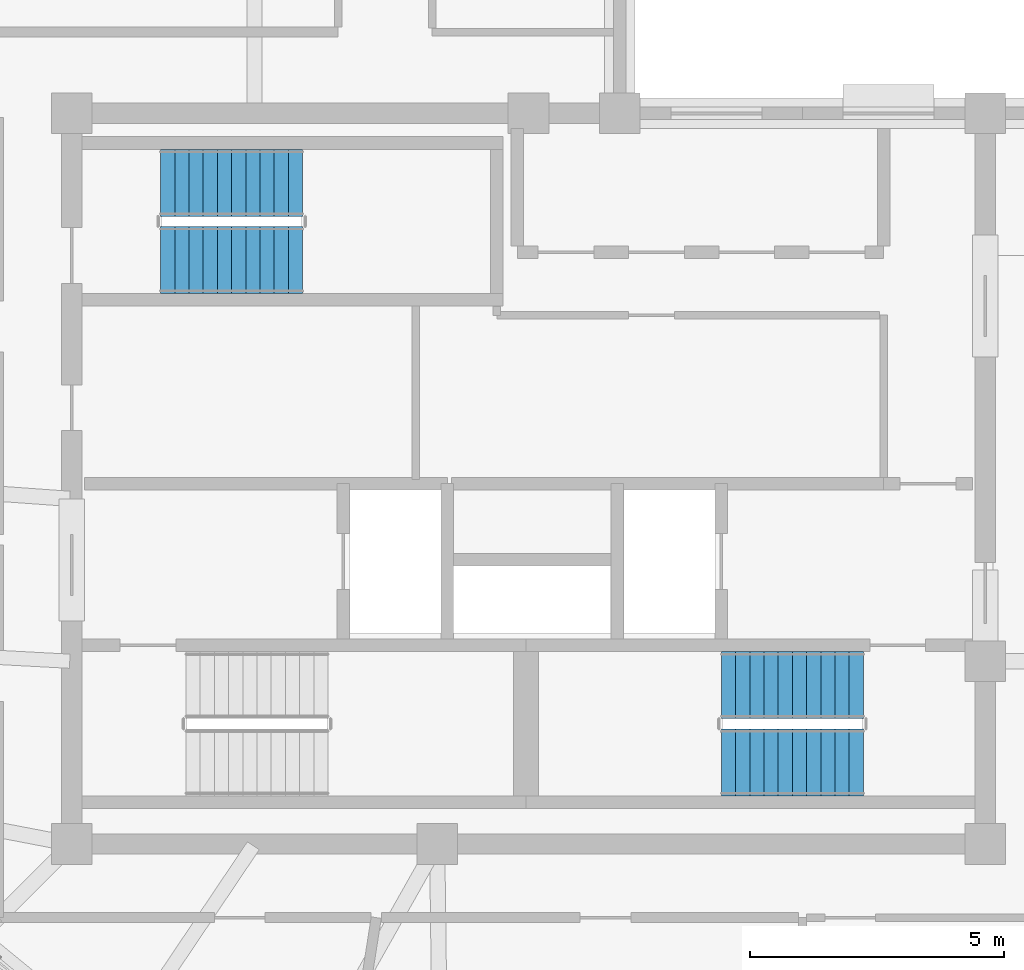
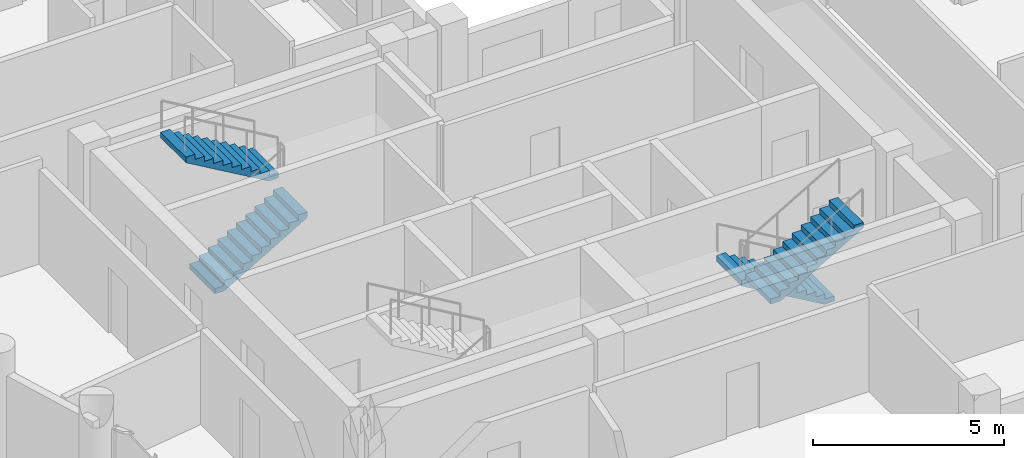
# One storey, part 10 of 12: 4 stair flights, 2 elements without a shape of their own.
"""IFC4 building model written with IfcOpenShell, lengths in metres."""

from ifc_helpers import new_model, si_unit, direction, frame, origin, place, context, subcontext, project, spatial, polyline, outline, extrude, material, type_object, element, aggregate, save


model = new_model("IFC4")

# Units and contexts
model_context = context("Model", 3, precision=1e-05, world=origin(), true_north=direction((0.0, 1.0)))
body_context = subcontext(model_context, "Body", "Model", "MODEL_VIEW")
ifc_project = project(units=[si_unit("LENGTHUNIT", "METRE"), si_unit("AREAUNIT", "SQUARE_METRE"), si_unit("VOLUMEUNIT", "CUBIC_METRE"), si_unit("PLANEANGLEUNIT", "RADIAN"), si_unit("MASSUNIT", "GRAM", prefix="KILO")], contexts=[model_context])

# Site, building, storey
site_placement = place(None, origin())
site = spatial("IfcSite", under=ifc_project, at=site_placement, CompositionType="ELEMENT")
building_placement = place(site_placement, origin())
building = spatial("IfcBuilding", under=site, at=building_placement, Name="Solnavia Interchange Tower", CompositionType="ELEMENT")
storey_placement = place(building_placement, frame((0.0, 0.0, 228.199951171875)))
storey = spatial("IfcBuildingStorey", under=building, at=storey_placement, Name="L57", CompositionType="ELEMENT", Elevation=228.199951171875)

# Stair, stair flights
ifc_material = material(Name="Concrete C40/50", Category="concrete")
stair_type = type_object("IfcStairType", Name="Stair-Dogleg-RC", PredefinedType="HALF_TURN_STAIR", material=ifc_material)
stair_1_placement = place(storey_placement, origin())
stair_1 = element("IfcStair", 1, at=stair_1_placement, inside=storey, type_object=stair_type, Name="L57 Core exit stair 2", PredefinedType="HALF_TURN_STAIR")
stair_flight_type = type_object("IfcStairFlightType", Name="StairFlight-RC-150", PredefinedType="STRAIGHT", material=ifc_material)
stair_flight_1_placement = place(storey_placement, frame((30.0, 13.929931640625, 0.0), z_axis=(0.0, 0.0, 1.0), x_axis=(-1.0, 0.0, 0.0)))
stair_flight_1 = element("IfcStairFlight", 2, at=stair_flight_1_placement, type_object=stair_flight_type, Name="ST-2 flight 1", NumberOfRisers=11, NumberOfTreads=10, PredefinedType="STRAIGHT", RiserHeight=0.163636364, TreadLength=0.28, context=body_context, shape_type="SweptSolid", body=[
    extrude(outline(polyline([(0.0, 0.0), (0.0, 0.16357421875), (0.280029296875, 0.16357421875), (0.280029296875, 0.327392578125), (0.56005859375, 0.327392578125), (0.56005859375, 0.490966796875), (0.840087890625, 0.490966796875), (0.840087890625, 0.654541015625), (1.1201171875, 0.654541015625), (1.1201171875, 0.818115234375), (1.39990234375, 0.818115234375), (1.39990234375, 0.98193359375), (1.679931640625, 0.98193359375), (1.679931640625, 1.1455078125), (1.9599609375, 1.1455078125), (1.9599609375, 1.30908203125), (2.239990234375, 1.30908203125), (2.239990234375, 1.47265625), (2.52001953125, 1.47265625), (2.52001953125, 1.636474609375), (2.800048828125, 1.636474609375), (2.800048828125, 1.800048828125), (2.800048828125, 1.462646484375), (0.297119140625, 0.0), (0.0, 0.0)])), frame((0.0, 0.66015625, 0.0), z_axis=(0.0, -1.0, 0.0), x_axis=(1.0, 0.0, 0.0)), (0.0, 0.0, 1.0), 1.320068359375),
])
stair_flight_2_placement = place(storey_placement, frame((27.199951171875, 12.409912109375, 1.800048828125), z_axis=(0.0, 0.0, 1.0), x_axis=(1.0, 0.0, 0.0)))
stair_flight_2 = element("IfcStairFlight", 3, at=stair_flight_2_placement, type_object=stair_flight_type, Name="ST-2 flight 2", NumberOfRisers=11, NumberOfTreads=10, PredefinedType="STRAIGHT", RiserHeight=0.163636364, TreadLength=0.28, context=body_context, shape_type="SweptSolid", body=[
    extrude(outline(polyline([(0.0, 0.0), (0.0, 0.16357421875), (0.280029296875, 0.16357421875), (0.280029296875, 0.327392578125), (0.56005859375, 0.327392578125), (0.56005859375, 0.490966796875), (0.840087890625, 0.490966796875), (0.840087890625, 0.654541015625), (1.1201171875, 0.654541015625), (1.1201171875, 0.818115234375), (1.39990234375, 0.818115234375), (1.39990234375, 0.98193359375), (1.679931640625, 0.98193359375), (1.679931640625, 1.1455078125), (1.9599609375, 1.1455078125), (1.9599609375, 1.30908203125), (2.239990234375, 1.30908203125), (2.239990234375, 1.47265625), (2.52001953125, 1.47265625), (2.52001953125, 1.636474609375), (2.800048828125, 1.636474609375), (2.800048828125, 1.800048828125), (2.800048828125, 1.462646484375), (0.297119140625, 0.0), (0.0, 0.0)])), frame((0.0, 0.66015625, 0.0), z_axis=(0.0, -1.0, 0.0), x_axis=(1.0, 0.0, 0.0)), (0.0, 0.0, 1.0), 1.320068359375),
])
aggregate(stair_1, [stair_flight_1, stair_flight_2])

stair_2_placement = place(storey_placement, origin())
stair_2 = element("IfcStair", 4, at=stair_2_placement, inside=storey, type_object=stair_type, Name="L57 Core exit stair 3", PredefinedType="HALF_TURN_STAIR")
stair_flight_3_placement = place(storey_placement, frame((16.14990234375, 22.31005859375, 0.0), z_axis=(0.0, 0.0, 1.0), x_axis=(1.0, 0.0, 0.0)))
stair_flight_3 = element("IfcStairFlight", 5, at=stair_flight_3_placement, type_object=stair_flight_type, Name="ST-3 flight 1", NumberOfRisers=11, NumberOfTreads=10, PredefinedType="STRAIGHT", RiserHeight=0.163636364, TreadLength=0.28, context=body_context, shape_type="SweptSolid", body=[
    extrude(outline(polyline([(0.0, 0.0), (0.0, 0.16357421875), (0.280029296875, 0.16357421875), (0.280029296875, 0.327392578125), (0.56005859375, 0.327392578125), (0.56005859375, 0.490966796875), (0.840087890625, 0.490966796875), (0.840087890625, 0.654541015625), (1.1201171875, 0.654541015625), (1.1201171875, 0.818115234375), (1.39990234375, 0.818115234375), (1.39990234375, 0.98193359375), (1.679931640625, 0.98193359375), (1.679931640625, 1.1455078125), (1.9599609375, 1.1455078125), (1.9599609375, 1.30908203125), (2.239990234375, 1.30908203125), (2.239990234375, 1.47265625), (2.52001953125, 1.47265625), (2.52001953125, 1.636474609375), (2.800048828125, 1.636474609375), (2.800048828125, 1.800048828125), (2.800048828125, 1.462646484375), (0.297119140625, 0.0), (0.0, 0.0)])), frame((0.0, 0.66015625, 0.0), z_axis=(0.0, -1.0, 0.0), x_axis=(1.0, 0.0, 0.0)), (0.0, 0.0, 1.0), 1.320068359375),
])
stair_flight_4_placement = place(storey_placement, frame((18.949951171875, 23.830078125, 1.800048828125), z_axis=(0.0, 0.0, 1.0), x_axis=(-1.0, 0.0, 0.0)))
stair_flight_4 = element("IfcStairFlight", 6, at=stair_flight_4_placement, type_object=stair_flight_type, Name="ST-3 flight 2", NumberOfRisers=11, NumberOfTreads=10, PredefinedType="STRAIGHT", RiserHeight=0.163636364, TreadLength=0.28, context=body_context, shape_type="SweptSolid", body=[
    extrude(outline(polyline([(0.0, 0.0), (0.0, 0.16357421875), (0.280029296875, 0.16357421875), (0.280029296875, 0.327392578125), (0.56005859375, 0.327392578125), (0.56005859375, 0.490966796875), (0.840087890625, 0.490966796875), (0.840087890625, 0.654541015625), (1.1201171875, 0.654541015625), (1.1201171875, 0.818115234375), (1.39990234375, 0.818115234375), (1.39990234375, 0.98193359375), (1.679931640625, 0.98193359375), (1.679931640625, 1.1455078125), (1.9599609375, 1.1455078125), (1.9599609375, 1.30908203125), (2.239990234375, 1.30908203125), (2.239990234375, 1.47265625), (2.52001953125, 1.47265625), (2.52001953125, 1.636474609375), (2.800048828125, 1.636474609375), (2.800048828125, 1.800048828125), (2.800048828125, 1.462646484375), (0.297119140625, 0.0), (0.0, 0.0)])), frame((0.0, 0.66015625, 0.0), z_axis=(0.0, -1.0, 0.0), x_axis=(1.0, 0.0, 0.0)), (0.0, 0.0, 1.0), 1.320068359375),
])
aggregate(stair_2, [stair_flight_3, stair_flight_4])

save(model, "model.ifc")
